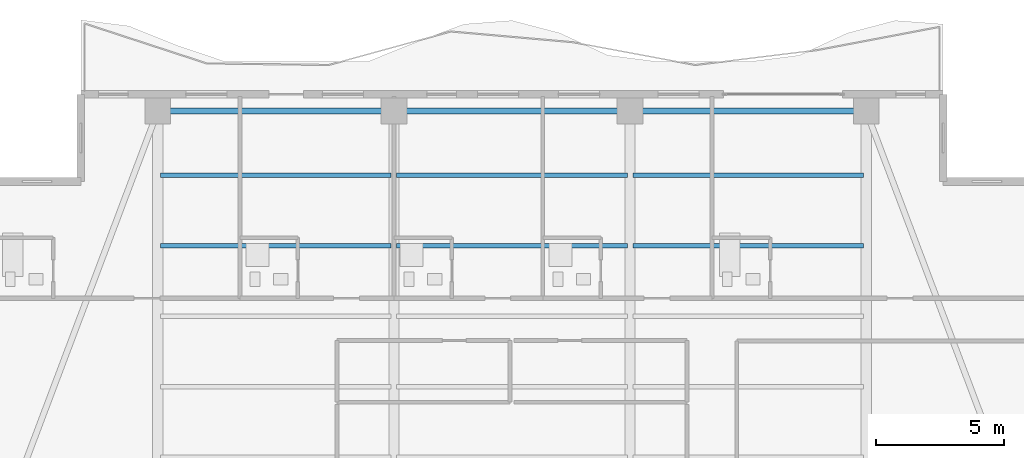
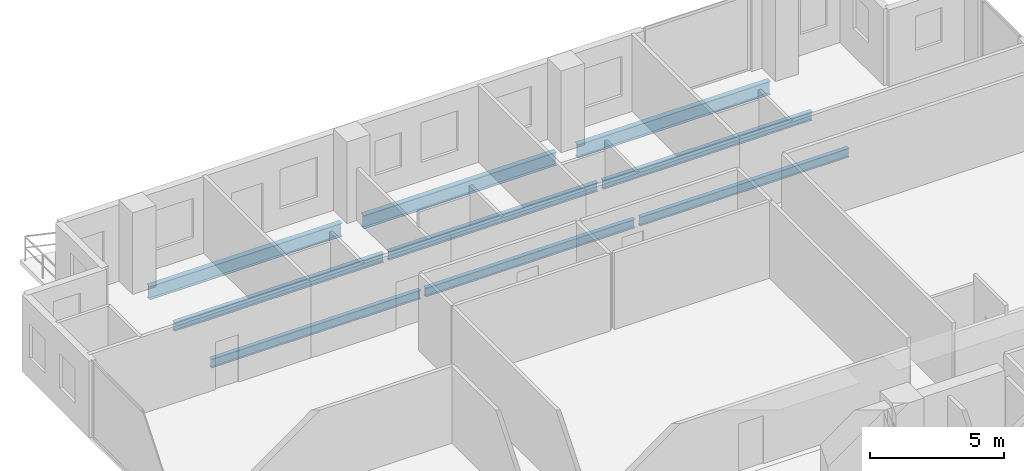
# One storey, part 13 of 26: 9 beams.
"""IFC4 building model written with IfcOpenShell, lengths in metres."""

from ifc_helpers import new_model, si_unit, direction, frame, origin, origin_2d, place, context, subcontext, project, spatial, i_section, extrude, material, material_profile, profile_set, type_object, element, save


model = new_model("IFC4")

# Units and contexts
model_context = context("Model", 3, precision=1e-05, world=origin(), true_north=direction((0.0, 1.0)))
body_context = subcontext(model_context, "Body", "Model", "MODEL_VIEW")
ifc_project = project(units=[si_unit("LENGTHUNIT", "METRE"), si_unit("AREAUNIT", "SQUARE_METRE"), si_unit("VOLUMEUNIT", "CUBIC_METRE"), si_unit("PLANEANGLEUNIT", "RADIAN"), si_unit("MASSUNIT", "GRAM", prefix="KILO")], contexts=[model_context])

# Site, building, storey
site_placement = place(None, origin())
site = spatial("IfcSite", under=ifc_project, at=site_placement, CompositionType="ELEMENT")
building_placement = place(site_placement, origin())
building = spatial("IfcBuilding", under=site, at=building_placement, Name="Zuhayl Quay Hotel", CompositionType="ELEMENT")
storey_placement = place(building_placement, frame((0.0, 0.0, 247.050048828125)))
storey = spatial("IfcBuildingStorey", under=building, at=storey_placement, Name="L62", CompositionType="ELEMENT", Elevation=247.050048828125)

# Beams
ifc_material = material(Name="Steel ASTM A992 Grade 50", Category="steel")
ifc_material_profile_1 = material_profile(ifc_material, i_section(OverallWidth=0.22802734375, OverallDepth=0.60693359375, WebThickness=0.01123046875, FlangeThickness=0.017333984375, at=origin_2d()), Name="W24X76")
ifc_profile_set_1 = profile_set([ifc_material_profile_1], Name="Steel ASTM A992 Grade 50")
beam_type_1 = type_object("IfcBeamType", Name="BM_B3_W24X76", PredefinedType="BEAM", material=ifc_profile_set_1)
beam_1_placement = place(storey_placement, frame((13.340087890625, 38.35009765625, -0.5234375), z_axis=(-1.0, 0.0, 0.0), x_axis=(0.0, -1.0, 0.0)))
element("IfcBeam", 1, at=beam_1_placement, inside=storey, type_object=beam_type_1, Name="L62 Floor Beam RG_L62_07", PredefinedType="BEAM", context=body_context, shape_type="SweptSolid", body=[
    extrude(i_section(OverallWidth=0.22802734375, OverallDepth=0.60693359375, WebThickness=0.01123046875, FlangeThickness=0.017333984375, at=origin_2d()), origin(), (0.0, 0.0, 1.0), 8.280029296875),
])
beam_2_placement = place(storey_placement, frame((4.139892578125, 38.35009765625, -0.5234375), z_axis=(-1.0, 0.0, 0.0), x_axis=(0.0, -1.0, 0.0)))
element("IfcBeam", 2, at=beam_2_placement, inside=storey, type_object=beam_type_1, Name="L62 Floor Beam RG_L62_08", PredefinedType="BEAM", context=body_context, shape_type="SweptSolid", body=[
    extrude(i_section(OverallWidth=0.22802734375, OverallDepth=0.60693359375, WebThickness=0.01123046875, FlangeThickness=0.017333984375, at=origin_2d()), origin(), (0.0, 0.0, 1.0), 8.27978515625),
])
beam_3_placement = place(storey_placement, frame((-5.06005859375, 38.35009765625, -0.5234375), z_axis=(-1.0, 0.0, 0.0), x_axis=(0.0, -1.0, 0.0)))
element("IfcBeam", 3, at=beam_3_placement, inside=storey, type_object=beam_type_1, Name="L62 Floor Beam RG_L62_09", PredefinedType="BEAM", context=body_context, shape_type="SweptSolid", body=[
    extrude(i_section(OverallWidth=0.22802734375, OverallDepth=0.60693359375, WebThickness=0.01123046875, FlangeThickness=0.017333984375, at=origin_2d()), origin(), (0.0, 0.0, 1.0), 8.280029296875),
])
ifc_material_profile_2 = material_profile(ifc_material, i_section(OverallWidth=0.177978515625, OverallDepth=0.404052734375, WebThickness=0.007568359375, FlangeThickness=0.010986328125, at=origin_2d()), Name="W16X36")
ifc_profile_set_2 = profile_set([ifc_material_profile_2], Name="Steel ASTM A992 Grade 50")
beam_type_2 = type_object("IfcBeamType", Name="BM_J3_W16X36", PredefinedType="JOIST", material=ifc_profile_set_2)
beam_4_placement = place(storey_placement, frame((-13.694091796875, 33.10009765625, -0.422119140625), z_axis=(1.0, 0.0, 0.0), x_axis=(0.0, 1.0, 0.0)))
element("IfcBeam", 4, at=beam_4_placement, inside=storey, type_object=beam_type_2, Name="L62 Floor Beam FJ_L62_7_1", PredefinedType="JOIST", context=body_context, shape_type="SweptSolid", body=[
    extrude(i_section(OverallWidth=0.177978515625, OverallDepth=0.404052734375, WebThickness=0.007568359375, FlangeThickness=0.010986328125, at=origin_2d()), origin(), (0.0, 0.0, 1.0), 8.988037109375),
])
beam_5_placement = place(storey_placement, frame((-4.493896484375, 33.10009765625, -0.422119140625), z_axis=(1.0, 0.0, 0.0), x_axis=(0.0, 1.0, 0.0)))
element("IfcBeam", 5, at=beam_5_placement, inside=storey, type_object=beam_type_2, Name="L62 Floor Beam FJ_L62_7_2", PredefinedType="JOIST", context=body_context, shape_type="SweptSolid", body=[
    extrude(i_section(OverallWidth=0.177978515625, OverallDepth=0.404052734375, WebThickness=0.007568359375, FlangeThickness=0.010986328125, at=origin_2d()), origin(), (0.0, 0.0, 1.0), 8.98779296875),
])
for number, where, z_axis, x_axis, name in (
    (6, (4.7060546875, 33.10009765625, -0.422119140625), (1.0, 0.0, 0.0), (0.0, 1.0, 0.0), "L62 Floor Beam FJ_L62_7_3"),
    (7, (-13.694091796875, 35.85009765625, -0.422119140625), (1.0, 0.0, 0.0), (0.0, 1.0, 0.0), "L62 Floor Beam FJ_L62_8_1"),
):
    element("IfcBeam", number, at=place(storey_placement, frame(where, z_axis=z_axis, x_axis=x_axis)), inside=storey, type_object=beam_type_2, Name=name, PredefinedType="JOIST", context=body_context, shape_type="SweptSolid", body=[
        extrude(i_section(OverallWidth=0.177978515625, OverallDepth=0.404052734375, WebThickness=0.007568359375, FlangeThickness=0.010986328125, at=origin_2d()), origin(), (0.0, 0.0, 1.0), 8.988037109375),
    ])
beam_6_placement = place(storey_placement, frame((-4.493896484375, 35.85009765625, -0.422119140625), z_axis=(1.0, 0.0, 0.0), x_axis=(0.0, 1.0, 0.0)))
element("IfcBeam", 8, at=beam_6_placement, inside=storey, type_object=beam_type_2, Name="L62 Floor Beam FJ_L62_8_2", PredefinedType="JOIST", context=body_context, shape_type="SweptSolid", body=[
    extrude(i_section(OverallWidth=0.177978515625, OverallDepth=0.404052734375, WebThickness=0.007568359375, FlangeThickness=0.010986328125, at=origin_2d()), origin(), (0.0, 0.0, 1.0), 8.98779296875),
])
beam_7_placement = place(storey_placement, frame((4.7060546875, 35.85009765625, -0.422119140625), z_axis=(1.0, 0.0, 0.0), x_axis=(0.0, 1.0, 0.0)))
element("IfcBeam", 9, at=beam_7_placement, inside=storey, type_object=beam_type_2, Name="L62 Floor Beam FJ_L62_8_3", PredefinedType="JOIST", context=body_context, shape_type="SweptSolid", body=[
    extrude(i_section(OverallWidth=0.177978515625, OverallDepth=0.404052734375, WebThickness=0.007568359375, FlangeThickness=0.010986328125, at=origin_2d()), origin(), (0.0, 0.0, 1.0), 8.988037109375),
])

save(model, "model.ifc")
